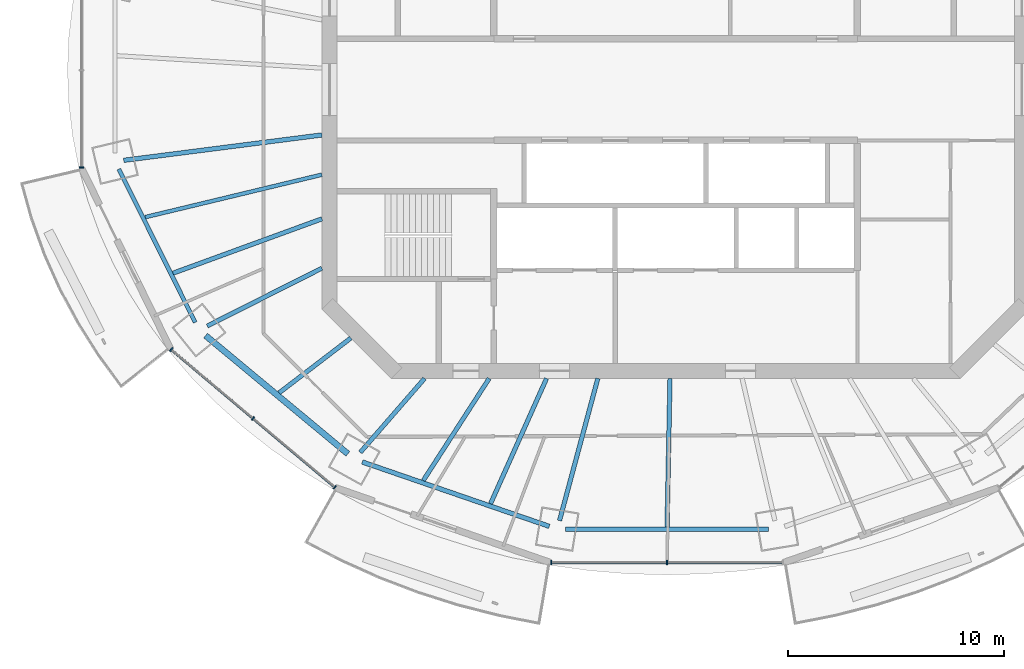
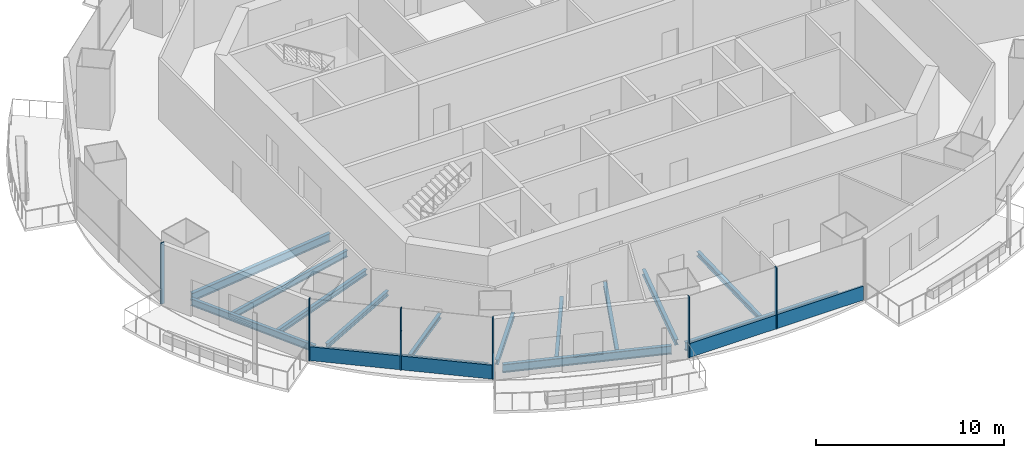
# One storey, part 2 of 16: 14 beams, 8 members, 3 elements without a shape of their own.
"""IFC4 building model written with IfcOpenShell, lengths in metres."""

from ifc_helpers import new_model, si_unit, direction, frame, origin, origin_2d, place, context, subcontext, project, spatial, rectangle, i_section, extrude, material, material_profile, profile_set, type_object, element, aggregate, save


model = new_model("IFC4")

# Units and contexts
model_context = context("Model", 3, precision=1e-05, world=origin(), true_north=direction((0.0, 1.0)))
body_context = subcontext(model_context, "Body", "Model", "MODEL_VIEW")
ifc_project = project(units=[si_unit("LENGTHUNIT", "METRE"), si_unit("AREAUNIT", "SQUARE_METRE"), si_unit("VOLUMEUNIT", "CUBIC_METRE"), si_unit("PLANEANGLEUNIT", "RADIAN"), si_unit("MASSUNIT", "GRAM", prefix="KILO")], contexts=[model_context])

# Site, building, storey
site_placement = place(None, origin())
site = spatial("IfcSite", under=ifc_project, at=site_placement, CompositionType="ELEMENT")
building_placement = place(site_placement, origin())
building = spatial("IfcBuilding", under=site, at=building_placement, Name="Marenthal Gate Tower", CompositionType="ELEMENT")
storey_placement = place(building_placement, frame((0.0, 0.0, 321.85009765625)))
storey = spatial("IfcBuildingStorey", under=building, at=storey_placement, Name="L72", CompositionType="ELEMENT", Elevation=321.85009765625)

# Curtain wall, member
ifc_material_1 = material(Name="Aluminium and glass", Category="aluminium")
curtain_wall_type = type_object("IfcCurtainWallType", Name="Curtain wall typical high", PredefinedType="NOTDEFINED", material=ifc_material_1)
curtain_wall_1_placement = place(storey_placement, origin())
curtain_wall_1 = element("IfcCurtainWall", 1, at=curtain_wall_1_placement, inside=storey, type_object=curtain_wall_type, Name="Curtain wall L72 bay 8", PredefinedType="NOTDEFINED")
ifc_material_2 = material(Name="Aluminium", Category="aluminium")
ifc_material_profile_1 = material_profile(ifc_material_2, rectangle(XDim=0.199951171875, YDim=0.06005859375, at=origin_2d()), Name="60x200 aluminium mullion")
ifc_profile_set_1 = profile_set([ifc_material_profile_1], Name="Aluminium")
member_type_1 = type_object("IfcMemberType", Name="Mullion 60x200 typical high", PredefinedType="MULLION", material=ifc_profile_set_1)
member_1_placement = place(storey_placement, frame((-27.4619140625, -3.597412109375, 0.0), z_axis=(0.0, 0.0, 1.0), x_axis=(1.0, 0.0, 0.0)))
member_1 = element("IfcMember", 2, at=member_1_placement, type_object=member_type_1, Name="Mullion L72 bay 8.3", PredefinedType="MULLION", context=body_context, shape_type="SweptSolid", body=[
    extrude(rectangle(XDim=0.199951171875, YDim=0.06005859375, at=origin_2d()), origin(), (0.0, 0.0, 1.0), 3.969970703125),
])
aggregate(curtain_wall_1, [member_1])

# Curtain wall, members
curtain_wall_2_placement = place(storey_placement, origin())
curtain_wall_2 = element("IfcCurtainWall", 3, at=curtain_wall_2_placement, inside=storey, type_object=curtain_wall_type, Name="Curtain wall L72 bay 10", PredefinedType="NOTDEFINED")
member_2_placement = place(storey_placement, frame((-23.31884765625, -12.012451171875, 0.0), z_axis=(0.0, 0.0, 1.0), x_axis=(0.643676220215, 0.76529793122, 0.0)))
member_2 = element("IfcMember", 4, at=member_2_placement, type_object=member_type_1, Name="Mullion L72 bay 10.1", PredefinedType="MULLION", context=body_context, shape_type="SweptSolid", body=[
    extrude(rectangle(XDim=0.199951171875, YDim=0.06005859375, at=origin_2d()), origin(), (0.0, 0.0, 1.0), 3.969970703125),
])
member_3_placement = place(storey_placement, frame((-19.53564453125, -15.194580078125, 0.0), z_axis=(0.0, 0.0, 1.0), x_axis=(0.643676220215, 0.76529793122, 0.0)))
member_3 = element("IfcMember", 5, at=member_3_placement, type_object=member_type_1, Name="Mullion L72 bay 10.2", PredefinedType="MULLION", context=body_context, shape_type="SweptSolid", body=[
    extrude(rectangle(XDim=0.199951171875, YDim=0.06005859375, at=origin_2d()), origin(), (0.0, 0.0, 1.0), 3.969970703125),
])
member_4_placement = place(storey_placement, frame((-15.752197265625, -18.37646484375, 0.0), z_axis=(0.0, 0.0, 1.0), x_axis=(0.643676220215, 0.76529793122, 0.0)))
member_4 = element("IfcMember", 6, at=member_4_placement, type_object=member_type_1, Name="Mullion L72 bay 10.3", PredefinedType="MULLION", context=body_context, shape_type="SweptSolid", body=[
    extrude(rectangle(XDim=0.199951171875, YDim=0.06005859375, at=origin_2d()), origin(), (0.0, 0.0, 1.0), 3.969970703125),
])

curtain_wall_3_placement = place(storey_placement, origin())
curtain_wall_3 = element("IfcCurtainWall", 7, at=curtain_wall_3_placement, inside=storey, type_object=curtain_wall_type, Name="Curtain wall L72 bay 12", PredefinedType="NOTDEFINED")
member_5_placement = place(storey_placement, frame((-5.7529296875, -21.861083984375, 0.0), z_axis=(0.0, 0.0, 1.0), x_axis=(0.0, 1.0, 0.0)))
member_5 = element("IfcMember", 8, at=member_5_placement, type_object=member_type_1, Name="Mullion L72 bay 12.1", PredefinedType="MULLION", context=body_context, shape_type="SweptSolid", body=[
    extrude(rectangle(XDim=0.199951171875, YDim=0.06005859375, at=origin_2d()), origin(), (0.0, 0.0, 1.0), 3.969970703125),
])
member_6_placement = place(storey_placement, frame((-0.39990234375, -21.861083984375, 0.0), z_axis=(0.0, 0.0, 1.0), x_axis=(0.0, 1.0, 0.0)))
member_6 = element("IfcMember", 9, at=member_6_placement, type_object=member_type_1, Name="Mullion L72 bay 12.2", PredefinedType="MULLION", context=body_context, shape_type="SweptSolid", body=[
    extrude(rectangle(XDim=0.199951171875, YDim=0.06005859375, at=origin_2d()), origin(), (0.0, 0.0, 1.0), 3.969970703125),
])

# Member
ifc_material_3 = material(Name="Aluminium", Category="aluminium")
ifc_material_profile_2 = material_profile(ifc_material_3, rectangle(XDim=0.1201171875, YDim=0.89990234375, at=origin_2d()), Name="120x900 aluminium transom")
ifc_profile_set_2 = profile_set([ifc_material_profile_2], Name="Aluminium")
member_type_2 = type_object("IfcMemberType", Name="Transom 120x900 typical high", PredefinedType="USERDEFINED", material=ifc_profile_set_2)
member_7_placement = place(storey_placement, frame((-23.2958984375, -12.03173828125, 0.449951171875), z_axis=(0.765303397989, -0.643669720451, 0.0), x_axis=(0.643669720451, 0.765303397989, 0.0)))
member_7 = element("IfcMember", 10, at=member_7_placement, type_object=member_type_2, Name="Transom L72 bay 10", ObjectType="TRANSOM", PredefinedType="USERDEFINED", context=body_context, shape_type="SweptSolid", body=[
    extrude(rectangle(XDim=0.1201171875, YDim=0.89990234375, at=origin_2d()), origin(), (0.0, 0.0, 1.0), 9.8271484375),
])

aggregate(curtain_wall_2, [member_2, member_3, member_4, member_7])

member_8_placement = place(storey_placement, frame((-5.722900390625, -21.861083984375, 0.449951171875), z_axis=(1.0, 0.0, 0.0), x_axis=(0.0, 1.0, 0.0)))
member_8 = element("IfcMember", 11, at=member_8_placement, type_object=member_type_2, Name="Transom L72 bay 12", ObjectType="TRANSOM", PredefinedType="USERDEFINED", context=body_context, shape_type="SweptSolid", body=[
    extrude(rectangle(XDim=0.1201171875, YDim=0.89990234375, at=origin_2d()), origin(), (0.0, 0.0, 1.0), 10.645751953125),
])

aggregate(curtain_wall_3, [member_5, member_6, member_8])

# Beams
ifc_material_4 = material(Name="Steel S355", Category="steel")
ifc_material_profile_3 = material_profile(ifc_material_4, i_section(OverallWidth=0.202880859375, OverallDepth=0.302001953125, WebThickness=0.007568359375, FlangeThickness=0.01318359375, FilletRadius=0.0126953125, at=origin_2d()), Name="W310X60")
ifc_profile_set_3 = profile_set([ifc_material_profile_3], Name="Steel S355")
beam_type_1 = type_object("IfcBeamType", Name="W310X60 beam", PredefinedType="BEAM", material=ifc_profile_set_3)
beam_1_placement = place(storey_placement, frame((-18.326171875, -14.01171875, -0.3310546875), z_axis=(0.794406043308, 0.607387058107, 0.0), x_axis=(-0.607387058107, 0.794406043308, 0.0)))
element("IfcBeam", 12, at=beam_1_placement, inside=storey, type_object=beam_type_1, Name="BM-L72-31", PredefinedType="BEAM", context=body_context, shape_type="SweptSolid", body=[
    extrude(i_section(OverallWidth=0.202880859375, OverallDepth=0.302001953125, WebThickness=0.007568359375, FlangeThickness=0.01318359375, FilletRadius=0.0126953125, at=origin_2d()), origin(), (0.0, 0.0, 1.0), 4.168212890625),
])
beam_2_placement = place(storey_placement, frame((-11.666748046875, -18.06689453125, -0.3310546875), z_axis=(0.54247940517, 0.840069101305, 0.0), x_axis=(-0.840069101305, 0.54247940517, 0.0)))
element("IfcBeam", 13, at=beam_2_placement, inside=storey, type_object=beam_type_1, Name="BM-L72-32", PredefinedType="BEAM", context=body_context, shape_type="SweptSolid", body=[
    extrude(i_section(OverallWidth=0.202880859375, OverallDepth=0.302001953125, WebThickness=0.007568359375, FlangeThickness=0.01318359375, FilletRadius=0.0126953125, at=origin_2d()), origin(), (0.0, 0.0, 1.0), 5.61474609375),
])
ifc_material_5 = material(Name="Steel S355", Category="steel")
ifc_material_profile_4 = material_profile(ifc_material_5, i_section(OverallWidth=0.205078125, OverallDepth=0.31005859375, WebThickness=0.009521484375, FlangeThickness=0.016357421875, FilletRadius=0.0126953125, at=origin_2d()), Name="W310X74")
ifc_profile_set_4 = profile_set([ifc_material_profile_4], Name="Steel S355")
beam_type_2 = type_object("IfcBeamType", Name="W310X74 beam", PredefinedType="BEAM", material=ifc_profile_set_4)
beam_3_placement = place(storey_placement, frame((-21.653076171875, -10.926025390625, -0.335205078125), z_axis=(0.892768800331, 0.450515115346, 0.0), x_axis=(-0.450515115346, 0.892768800331, 0.0)))
element("IfcBeam", 14, at=beam_3_placement, inside=storey, type_object=beam_type_2, Name="BM-L72-10", PredefinedType="BEAM", context=body_context, shape_type="SweptSolid", body=[
    extrude(i_section(OverallWidth=0.205078125, OverallDepth=0.31005859375, WebThickness=0.009521484375, FlangeThickness=0.016357421875, FilletRadius=0.0126953125, at=origin_2d()), origin(), (0.0, 0.0, 1.0), 5.93994140625),
])
beam_4_placement = place(storey_placement, frame((-14.575927734375, -16.765380859375, -0.335205078125), z_axis=(0.656106588679, 0.754668234585, 0.0), x_axis=(-0.754668234585, 0.656106588679, 0.0)))
element("IfcBeam", 15, at=beam_4_placement, inside=storey, type_object=beam_type_2, Name="BM-L72-11", PredefinedType="BEAM", context=body_context, shape_type="SweptSolid", body=[
    extrude(i_section(OverallWidth=0.205078125, OverallDepth=0.31005859375, WebThickness=0.009521484375, FlangeThickness=0.016357421875, FilletRadius=0.0126953125, at=origin_2d()), origin(), (0.0, 0.0, 1.0), 4.525634765625),
])
beam_5_placement = place(storey_placement, frame((-8.556884765625, -19.1376953125, -0.335205078125), z_axis=(0.408195484467, 0.912894542902, 0.0), x_axis=(-0.912894542902, 0.408195484467, 0.0)))
element("IfcBeam", 16, at=beam_5_placement, inside=storey, type_object=beam_type_2, Name="BM-L72-33", PredefinedType="BEAM", context=body_context, shape_type="SweptSolid", body=[
    extrude(i_section(OverallWidth=0.205078125, OverallDepth=0.31005859375, WebThickness=0.009521484375, FlangeThickness=0.016357421875, FilletRadius=0.0126953125, at=origin_2d()), origin(), (0.0, 0.0, 1.0), 6.33984375),
])
beam_6_placement = place(storey_placement, frame((-0.39794921875, -20.205322265625, -0.335205078125), z_axis=(0.019690615226, 0.999806121041, 0.0), x_axis=(-0.999806121041, 0.019690615226, 0.0)))
element("IfcBeam", 17, at=beam_6_placement, inside=storey, type_object=beam_type_2, Name="BM-L72-34", PredefinedType="BEAM", context=body_context, shape_type="SweptSolid", body=[
    extrude(i_section(OverallWidth=0.205078125, OverallDepth=0.31005859375, WebThickness=0.009521484375, FlangeThickness=0.016357421875, FilletRadius=0.0126953125, at=origin_2d()), origin(), (0.0, 0.0, 1.0), 6.8564453125),
])
ifc_material_6 = material(Name="Steel S355", Category="steel")
ifc_material_profile_5 = material_profile(ifc_material_6, i_section(OverallWidth=0.205078125, OverallDepth=0.35302734375, WebThickness=0.009521484375, FlangeThickness=0.016845703125, FilletRadius=0.014892578125, at=origin_2d()), Name="W360X79")
ifc_profile_set_5 = profile_set([ifc_material_profile_5], Name="Steel S355")
beam_type_3 = type_object("IfcBeamType", Name="W360X79 beam", PredefinedType="BEAM", material=ifc_profile_set_5)
beam_7_placement = place(storey_placement, frame((-5.369384765625, -19.9208984375, -0.356689453125), z_axis=(0.260238494578, 0.96554436767, 0.0), x_axis=(-0.96554436767, 0.260238494578, 0.0)))
element("IfcBeam", 18, at=beam_7_placement, inside=storey, type_object=beam_type_3, Name="BM-L72-12", PredefinedType="BEAM", context=body_context, shape_type="SweptSolid", body=[
    extrude(i_section(OverallWidth=0.205078125, OverallDepth=0.35302734375, WebThickness=0.009521484375, FlangeThickness=0.016845703125, FilletRadius=0.014892578125, at=origin_2d()), origin(), (0.0, 0.0, 1.0), 6.80517578125),
])
beam_8_placement = place(storey_placement, frame((-23.232666015625, -8.483642578125, -0.356689453125), z_axis=(0.939335338873, 0.343000176594, 0.0), x_axis=(-0.343000176594, 0.939335338873, 0.0)))
element("IfcBeam", 19, at=beam_8_placement, inside=storey, type_object=beam_type_3, Name="BM-L72-30", PredefinedType="BEAM", context=body_context, shape_type="SweptSolid", body=[
    extrude(i_section(OverallWidth=0.205078125, OverallDepth=0.35302734375, WebThickness=0.009521484375, FlangeThickness=0.016845703125, FilletRadius=0.014892578125, at=origin_2d()), origin(), (0.0, 0.0, 1.0), 7.3271484375),
])
ifc_material_7 = material(Name="Steel S355", Category="steel")
ifc_material_profile_6 = material_profile(ifc_material_7, i_section(OverallWidth=0.180908203125, OverallDepth=0.4169921875, WebThickness=0.010986328125, FlangeThickness=0.018310546875, FilletRadius=0.01025390625, at=origin_2d()), Name="W410X85")
ifc_profile_set_6 = profile_set([ifc_material_profile_6], Name="Steel S355")
beam_type_4 = type_object("IfcBeamType", Name="W410X85 beam", PredefinedType="BEAM", material=ifc_profile_set_6)
beam_9_placement = place(storey_placement, frame((-24.522216796875, -5.89501953125, -0.388671875), z_axis=(0.972298375937, 0.233743167065, 0.0), x_axis=(-0.233743167065, 0.972298375937, 0.0)))
element("IfcBeam", 20, at=beam_9_placement, inside=storey, type_object=beam_type_4, Name="BM-L72-29", PredefinedType="BEAM", context=body_context, shape_type="SweptSolid", body=[
    extrude(i_section(OverallWidth=0.180908203125, OverallDepth=0.4169921875, WebThickness=0.010986328125, FlangeThickness=0.018310546875, FilletRadius=0.01025390625, at=origin_2d()), origin(), (0.0, 0.0, 1.0), 8.405029296875),
])
ifc_material_8 = material(Name="Steel S355", Category="steel")
ifc_material_profile_7 = material_profile(ifc_material_8, i_section(OverallWidth=0.279052734375, OverallDepth=0.4619140625, WebThickness=0.0107421875, FlangeThickness=0.017333984375, FilletRadius=0.010009765625, at=origin_2d()), Name="W460X113")
ifc_profile_set_7 = profile_set([ifc_material_profile_7], Name="Steel S355")
beam_type_5 = type_object("IfcBeamType", Name="W460X113 beam", PredefinedType="BEAM", material=ifc_profile_set_7)
beam_10_placement = place(storey_placement, frame((-21.726318359375, -11.366455078125, -0.4111328125), z_axis=(0.768960363439, -0.63929645663, 0.0), x_axis=(0.63929645663, 0.768960363439, 0.0)))
element("IfcBeam", 21, at=beam_10_placement, inside=storey, type_object=beam_type_5, Name="BM-L72-50", PredefinedType="BEAM", context=body_context, shape_type="SweptSolid", body=[
    extrude(i_section(OverallWidth=0.279052734375, OverallDepth=0.4619140625, WebThickness=0.0107421875, FlangeThickness=0.017333984375, FilletRadius=0.010009765625, at=origin_2d()), origin(), (0.0, 0.0, 1.0), 8.550048828125),
])
ifc_material_9 = material(Name="Steel S355", Category="steel")
ifc_material_profile_8 = material_profile(ifc_material_9, i_section(OverallWidth=0.19091796875, OverallDepth=0.45703125, WebThickness=0.009033203125, FlangeThickness=0.014404296875, FilletRadius=0.01025390625, at=origin_2d()), Name="W460X74")
ifc_profile_set_8 = profile_set([ifc_material_profile_8], Name="Steel S355")
beam_type_6 = type_object("IfcBeamType", Name="W460X74 beam", PredefinedType="BEAM", material=ifc_profile_set_8)
beam_11_placement = place(storey_placement, frame((-25.734619140625, -3.675537109375, -0.40869140625), z_axis=(0.445917839927, -0.89507389641, 0.0), x_axis=(0.89507389641, 0.445917839927, 0.0)))
element("IfcBeam", 22, at=beam_11_placement, inside=storey, type_object=beam_type_6, Name="BM-L72-49", PredefinedType="BEAM", context=body_context, shape_type="SweptSolid", body=[
    extrude(i_section(OverallWidth=0.19091796875, OverallDepth=0.45703125, WebThickness=0.009033203125, FlangeThickness=0.014404296875, FilletRadius=0.01025390625, at=origin_2d()), origin(), (0.0, 0.0, 1.0), 7.916259765625),
])
ifc_material_10 = material(Name="Steel S355", Category="steel")
ifc_material_profile_9 = material_profile(ifc_material_10, i_section(OverallWidth=0.2099609375, OverallDepth=0.535888671875, WebThickness=0.010986328125, FlangeThickness=0.017333984375, FilletRadius=0.0126953125, at=origin_2d()), Name="W530X101")
ifc_profile_set_9 = profile_set([ifc_material_profile_9], Name="Steel S355")
beam_type_7 = type_object("IfcBeamType", Name="W530X101 beam", PredefinedType="BEAM", material=ifc_profile_set_9)
beam_12_placement = place(storey_placement, frame((-25.51025390625, -3.267578125, -0.447998046875), z_axis=(0.991895851431, 0.127053610394, 0.0), x_axis=(-0.127053610394, 0.991895851431, 0.0)))
element("IfcBeam", 23, at=beam_12_placement, inside=storey, type_object=beam_type_7, Name="BM-L72-09", PredefinedType="BEAM", context=body_context, shape_type="SweptSolid", body=[
    extrude(i_section(OverallWidth=0.2099609375, OverallDepth=0.535888671875, WebThickness=0.010986328125, FlangeThickness=0.017333984375, FilletRadius=0.0126953125, at=origin_2d()), origin(), (0.0, 0.0, 1.0), 9.235107421875),
])
ifc_material_11 = material(Name="Steel S355", Category="steel")
ifc_material_profile_10 = material_profile(ifc_material_11, i_section(OverallWidth=0.2119140625, OverallDepth=0.5439453125, WebThickness=0.01318359375, FlangeThickness=0.021240234375, FilletRadius=0.0126953125, at=origin_2d()), Name="W530X123")
ifc_profile_set_10 = profile_set([ifc_material_profile_10], Name="Steel S355")
beam_type_8 = type_object("IfcBeamType", Name="W530X123 beam", PredefinedType="BEAM", material=ifc_profile_set_10)
beam_13_placement = place(storey_placement, frame((-14.48388671875, -17.208740234375, -0.4521484375), z_axis=(0.945498363712, -0.325626848122, 0.0), x_axis=(0.325626848122, 0.945498363712, 0.0)))
element("IfcBeam", 24, at=beam_13_placement, inside=storey, type_object=beam_type_8, Name="BM-L72-51", PredefinedType="BEAM", context=body_context, shape_type="SweptSolid", body=[
    extrude(i_section(OverallWidth=0.2119140625, OverallDepth=0.5439453125, WebThickness=0.01318359375, FlangeThickness=0.021240234375, FilletRadius=0.0126953125, at=origin_2d()), origin(), (0.0, 0.0, 1.0), 9.14111328125),
])
beam_14_placement = place(storey_placement, frame((-5.087890625, -20.311279296875, -0.4521484375), z_axis=(1.0, 0.0, 0.0), x_axis=(0.0, 1.0, 0.0)))
element("IfcBeam", 25, at=beam_14_placement, inside=storey, type_object=beam_type_8, Name="BM-L72-52", PredefinedType="BEAM", context=body_context, shape_type="SweptSolid", body=[
    extrude(i_section(OverallWidth=0.2119140625, OverallDepth=0.5439453125, WebThickness=0.01318359375, FlangeThickness=0.021240234375, FilletRadius=0.0126953125, at=origin_2d()), origin(), (0.0, 0.0, 1.0), 9.375732421875),
])

save(model, "model.ifc")
